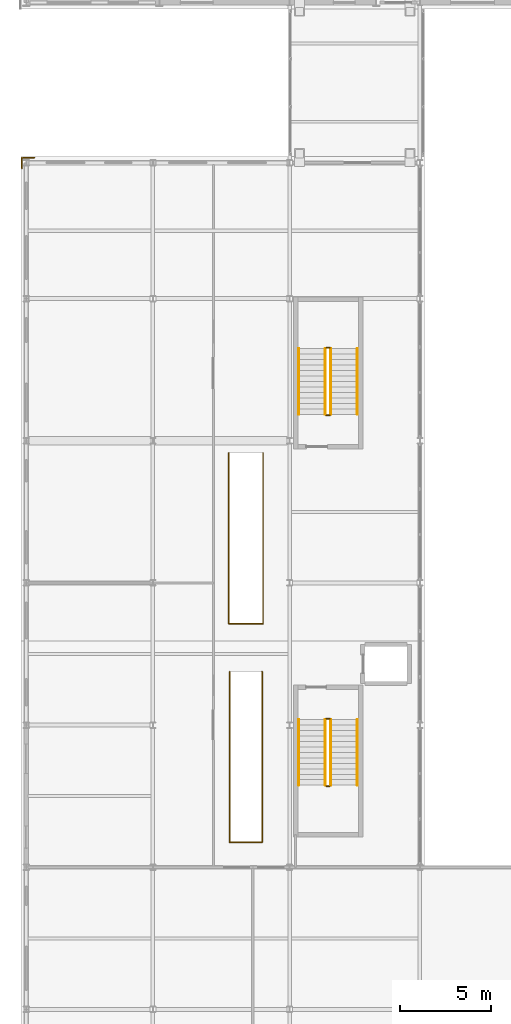
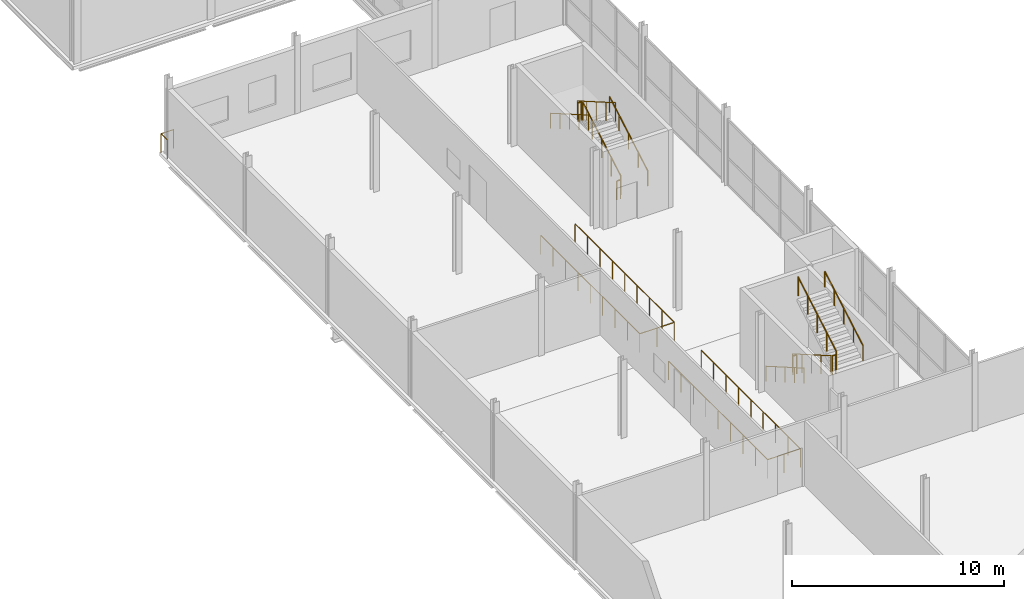
# One storey, part 72 of 77: 15 railings.
"""IFC4 building model written with IfcOpenShell, lengths in metres."""

from ifc_helpers import new_model, si_unit, direction, frame, origin, origin_2d, place, context, subcontext, project, spatial, circle, extrude, material, type_object, element, save


model = new_model("IFC4")

# Units and contexts
model_context = context("Model", 3, precision=1e-05, world=origin(), true_north=direction((0.0, 1.0)))
body_context = subcontext(model_context, "Body", "Model", "MODEL_VIEW")
ifc_project = project(units=[si_unit("LENGTHUNIT", "METRE"), si_unit("AREAUNIT", "SQUARE_METRE"), si_unit("VOLUMEUNIT", "CUBIC_METRE"), si_unit("PLANEANGLEUNIT", "RADIAN"), si_unit("MASSUNIT", "GRAM", prefix="KILO")], contexts=[model_context])

# Site, building, storey
site_placement = place(None, origin())
site = spatial("IfcSite", under=ifc_project, at=site_placement, CompositionType="ELEMENT")
building_placement = place(site_placement, origin())
building = spatial("IfcBuilding", under=site, at=building_placement, Name="Quillay Park Conservatory", CompositionType="ELEMENT")
storey_placement = place(building_placement, frame((0.0, 0.0, 5.39990234375)))
storey = spatial("IfcBuildingStorey", under=building, at=storey_placement, Name="L01", CompositionType="ELEMENT", Elevation=5.39990234375)

# Railings
ifc_material_1 = material(Name="Steel S355J2H", Category="steel")
railing_type_1 = type_object("IfcRailingType", Name="STAIR WALL HANDRAIL 900", PredefinedType="HANDRAIL", material=ifc_material_1)
railing_1_placement = place(storey_placement, frame((15.5, 23.699951171875, 0.173095703125)))
element("IfcRailing", 1, at=railing_1_placement, inside=storey, type_object=railing_type_1, Name="L01 ST-V1 stair handrail 1", PredefinedType="HANDRAIL", context=body_context, shape_type="SweptSolid", body=[
    extrude(circle(Radius=0.02392578125, at=origin_2d()), frame((0.0, 0.0, 0.8759765625), z_axis=(0.0, -0.866178740119, 0.499734319579), x_axis=(1.0, 0.0, 0.0)), (0.0, 0.0, 1.0), 4.156005859375),
    extrude(circle(Radius=0.02099609375, at=origin_2d()), origin(), (0.0, 0.0, 1.0), 0.851806640625),
    extrude(circle(Radius=0.02099609375, at=origin_2d()), frame((0.0, -0.89990234375, 0.519287109375)), (0.0, 0.0, 1.0), 0.851806640625),
    extrude(circle(Radius=0.02099609375, at=origin_2d()), frame((0.0, -1.7998046875, 1.03857421875)), (0.0, 0.0, 1.0), 0.851806640625),
    extrude(circle(Radius=0.02099609375, at=origin_2d()), frame((0.0, -2.699951171875, 1.5576171875)), (0.0, 0.0, 1.0), 0.851806640625),
    extrude(circle(Radius=0.02099609375, at=origin_2d()), frame((0.0, -3.599853515625, 2.076904296875)), (0.0, 0.0, 1.0), 0.851806640625),
])
railing_2_placement = place(storey_placement, frame((18.719970703125, 20.10009765625, 2.423095703125)))
element("IfcRailing", 2, at=railing_2_placement, inside=storey, type_object=railing_type_1, Name="L01 ST-V1 stair handrail 2", PredefinedType="HANDRAIL", context=body_context, shape_type="SweptSolid", body=[
    extrude(circle(Radius=0.02392578125, at=origin_2d()), frame((0.0, 0.0, 0.8759765625), z_axis=(0.0, 0.866178740119, 0.499734319579), x_axis=(-1.0, 0.0, 0.0)), (0.0, 0.0, 1.0), 4.156005859375),
    extrude(circle(Radius=0.02099609375, at=origin_2d()), origin(), (0.0, 0.0, 1.0), 0.851806640625),
    extrude(circle(Radius=0.02099609375, at=origin_2d()), frame((0.0, 0.89990234375, 0.519287109375)), (0.0, 0.0, 1.0), 0.851806640625),
    extrude(circle(Radius=0.02099609375, at=origin_2d()), frame((0.0, 1.7998046875, 1.03857421875)), (0.0, 0.0, 1.0), 0.851806640625),
    extrude(circle(Radius=0.02099609375, at=origin_2d()), frame((0.0, 2.699951171875, 1.5576171875)), (0.0, 0.0, 1.0), 0.851806640625),
    extrude(circle(Radius=0.02099609375, at=origin_2d()), frame((0.0, 3.599853515625, 2.076904296875)), (0.0, 0.0, 1.0), 0.851806640625),
])
railing_3_placement = place(storey_placement, frame((18.719970703125, 40.449951171875, 0.173095703125)))
element("IfcRailing", 3, at=railing_3_placement, inside=storey, type_object=railing_type_1, Name="L01 ST-V2 stair handrail 1", PredefinedType="HANDRAIL", context=body_context, shape_type="SweptSolid", body=[
    extrude(circle(Radius=0.02392578125, at=origin_2d()), frame((0.0, 0.0, 0.8759765625), z_axis=(0.0, 0.866193409371, 0.499708892819), x_axis=(-1.0, 0.0, 0.0)), (0.0, 0.0, 1.0), 4.15625),
    extrude(circle(Radius=0.02099609375, at=origin_2d()), origin(), (0.0, 0.0, 1.0), 0.851806640625),
    extrude(circle(Radius=0.02099609375, at=origin_2d()), frame((0.0, 0.89990234375, 0.519287109375)), (0.0, 0.0, 1.0), 0.851806640625),
    extrude(circle(Radius=0.02099609375, at=origin_2d()), frame((0.0, 1.800048828125, 1.03857421875)), (0.0, 0.0, 1.0), 0.851806640625),
    extrude(circle(Radius=0.02099609375, at=origin_2d()), frame((0.0, 2.7001953125, 1.5576171875)), (0.0, 0.0, 1.0), 0.851806640625),
    extrude(circle(Radius=0.02099609375, at=origin_2d()), frame((0.0, 3.60009765625, 2.076904296875)), (0.0, 0.0, 1.0), 0.851806640625),
])
railing_4_placement = place(storey_placement, frame((15.5, 44.050048828125, 2.423095703125)))
element("IfcRailing", 4, at=railing_4_placement, inside=storey, type_object=railing_type_1, Name="L01 ST-V2 stair handrail 2", PredefinedType="HANDRAIL", context=body_context, shape_type="SweptSolid", body=[
    extrude(circle(Radius=0.02392578125, at=origin_2d()), frame((0.0, 0.0, 0.8759765625), z_axis=(0.0, -0.866193409371, 0.499708892819), x_axis=(1.0, 0.0, 0.0)), (0.0, 0.0, 1.0), 4.15625),
    extrude(circle(Radius=0.02099609375, at=origin_2d()), origin(), (0.0, 0.0, 1.0), 0.851806640625),
    extrude(circle(Radius=0.02099609375, at=origin_2d()), frame((0.0, -0.89990234375, 0.519287109375)), (0.0, 0.0, 1.0), 0.851806640625),
    extrude(circle(Radius=0.02099609375, at=origin_2d()), frame((0.0, -1.800048828125, 1.03857421875)), (0.0, 0.0, 1.0), 0.851806640625),
    extrude(circle(Radius=0.02099609375, at=origin_2d()), frame((0.0, -2.7001953125, 1.5576171875)), (0.0, 0.0, 1.0), 0.851806640625),
    extrude(circle(Radius=0.02099609375, at=origin_2d()), frame((0.0, -3.60009765625, 2.076904296875)), (0.0, 0.0, 1.0), 0.851806640625),
])
ifc_material_2 = material(Name="Steel S355J2H", Category="steel")
railing_type_2 = type_object("IfcRailingType", Name="STAIR WELL GUARDRAIL 1100", PredefinedType="GUARDRAIL", material=ifc_material_2)
railing_5_placement = place(storey_placement, frame((16.9599609375, 23.699951171875, 0.173095703125)))
element("IfcRailing", 5, at=railing_5_placement, inside=storey, type_object=railing_type_2, Name="L01 ST-V1 stair guard 1", PredefinedType="GUARDRAIL", context=body_context, shape_type="SweptSolid", body=[
    extrude(circle(Radius=0.02392578125, at=origin_2d()), frame((0.0, 0.0, 1.076171875), z_axis=(0.0, -0.866178740119, 0.499734319579), x_axis=(1.0, 0.0, 0.0)), (0.0, 0.0, 1.0), 4.156005859375),
    extrude(circle(Radius=0.02099609375, at=origin_2d()), origin(), (0.0, 0.0, 1.0), 1.052001953125),
    extrude(circle(Radius=0.02099609375, at=origin_2d()), frame((0.0, -0.89990234375, 0.519287109375)), (0.0, 0.0, 1.0), 1.052001953125),
    extrude(circle(Radius=0.02099609375, at=origin_2d()), frame((0.0, -1.7998046875, 1.03857421875)), (0.0, 0.0, 1.0), 1.052001953125),
    extrude(circle(Radius=0.02099609375, at=origin_2d()), frame((0.0, -2.699951171875, 1.5576171875)), (0.0, 0.0, 1.0), 1.052001953125),
    extrude(circle(Radius=0.02099609375, at=origin_2d()), frame((0.0, -3.599853515625, 2.076904296875)), (0.0, 0.0, 1.0), 1.052001953125),
])
railing_6_placement = place(storey_placement, frame((17.010009765625, 20.050048828125, 2.25)))
element("IfcRailing", 6, at=railing_6_placement, inside=storey, type_object=railing_type_2, Name="L01 ST-V1 stair guard 2", PredefinedType="GUARDRAIL", context=body_context, shape_type="SweptSolid", body=[
    extrude(circle(Radius=0.02392578125, at=origin_2d()), frame((0.0, 0.0, 1.076171875), z_axis=(1.0, 0.0, 0.0), x_axis=(0.0, 1.0, 0.0)), (0.0, 0.0, 1.0), 0.199951171875),
    extrude(circle(Radius=0.02099609375, at=origin_2d()), origin(), (0.0, 0.0, 1.0), 1.052001953125),
    extrude(circle(Radius=0.02099609375, at=origin_2d()), frame((0.199951171875, 0.0, 0.0)), (0.0, 0.0, 1.0), 1.052001953125),
])
railing_7_placement = place(storey_placement, frame((17.260009765625, 20.10009765625, 2.423095703125)))
element("IfcRailing", 7, at=railing_7_placement, inside=storey, type_object=railing_type_2, Name="L01 ST-V1 stair guard 3", PredefinedType="GUARDRAIL", context=body_context, shape_type="SweptSolid", body=[
    extrude(circle(Radius=0.02392578125, at=origin_2d()), frame((0.0, 0.0, 1.076171875), z_axis=(0.0, 0.866178740119, 0.499734319579), x_axis=(-1.0, 0.0, 0.0)), (0.0, 0.0, 1.0), 4.156005859375),
    extrude(circle(Radius=0.02099609375, at=origin_2d()), origin(), (0.0, 0.0, 1.0), 1.052001953125),
    extrude(circle(Radius=0.02099609375, at=origin_2d()), frame((0.0, 0.89990234375, 0.519287109375)), (0.0, 0.0, 1.0), 1.052001953125),
    extrude(circle(Radius=0.02099609375, at=origin_2d()), frame((0.0, 1.7998046875, 1.03857421875)), (0.0, 0.0, 1.0), 1.052001953125),
    extrude(circle(Radius=0.02099609375, at=origin_2d()), frame((0.0, 2.699951171875, 1.5576171875)), (0.0, 0.0, 1.0), 1.052001953125),
    extrude(circle(Radius=0.02099609375, at=origin_2d()), frame((0.0, 3.599853515625, 2.076904296875)), (0.0, 0.0, 1.0), 1.052001953125),
])
railing_8_placement = place(storey_placement, frame((17.010009765625, 23.75, 0.0)))
element("IfcRailing", 8, at=railing_8_placement, inside=storey, type_object=railing_type_2, Name="L01 ST-V1 stair guard 4", PredefinedType="GUARDRAIL", context=body_context, shape_type="SweptSolid", body=[
    extrude(circle(Radius=0.02392578125, at=origin_2d()), frame((0.0, 0.0, 1.076171875), z_axis=(1.0, 0.0, 0.0), x_axis=(0.0, 1.0, 0.0)), (0.0, 0.0, 1.0), 0.199951171875),
    extrude(circle(Radius=0.02099609375, at=origin_2d()), origin(), (0.0, 0.0, 1.0), 1.052001953125),
    extrude(circle(Radius=0.02099609375, at=origin_2d()), frame((0.199951171875, 0.0, 0.0)), (0.0, 0.0, 1.0), 1.052001953125),
])
railing_9_placement = place(storey_placement, frame((17.260009765625, 40.449951171875, 0.173095703125)))
element("IfcRailing", 9, at=railing_9_placement, inside=storey, type_object=railing_type_2, Name="L01 ST-V2 stair guard 1", PredefinedType="GUARDRAIL", context=body_context, shape_type="SweptSolid", body=[
    extrude(circle(Radius=0.02392578125, at=origin_2d()), frame((0.0, 0.0, 1.076171875), z_axis=(0.0, 0.866193409371, 0.499708892819), x_axis=(-1.0, 0.0, 0.0)), (0.0, 0.0, 1.0), 4.15625),
    extrude(circle(Radius=0.02099609375, at=origin_2d()), origin(), (0.0, 0.0, 1.0), 1.052001953125),
    extrude(circle(Radius=0.02099609375, at=origin_2d()), frame((0.0, 0.89990234375, 0.519287109375)), (0.0, 0.0, 1.0), 1.052001953125),
    extrude(circle(Radius=0.02099609375, at=origin_2d()), frame((0.0, 1.800048828125, 1.03857421875)), (0.0, 0.0, 1.0), 1.052001953125),
    extrude(circle(Radius=0.02099609375, at=origin_2d()), frame((0.0, 2.7001953125, 1.5576171875)), (0.0, 0.0, 1.0), 1.052001953125),
    extrude(circle(Radius=0.02099609375, at=origin_2d()), frame((0.0, 3.60009765625, 2.076904296875)), (0.0, 0.0, 1.0), 1.052001953125),
])
railing_10_placement = place(storey_placement, frame((17.2099609375, 44.10009765625, 2.25)))
element("IfcRailing", 10, at=railing_10_placement, inside=storey, type_object=railing_type_2, Name="L01 ST-V2 stair guard 2", PredefinedType="GUARDRAIL", context=body_context, shape_type="SweptSolid", body=[
    extrude(circle(Radius=0.02392578125, at=origin_2d()), frame((0.0, 0.0, 1.076171875), z_axis=(-1.0, 0.0, 0.0), x_axis=(0.0, -1.0, 0.0)), (0.0, 0.0, 1.0), 0.199951171875),
    extrude(circle(Radius=0.02099609375, at=origin_2d()), origin(), (0.0, 0.0, 1.0), 1.052001953125),
    extrude(circle(Radius=0.02099609375, at=origin_2d()), frame((-0.199951171875, 0.0, 0.0)), (0.0, 0.0, 1.0), 1.052001953125),
])
railing_11_placement = place(storey_placement, frame((16.9599609375, 44.050048828125, 2.423095703125)))
element("IfcRailing", 11, at=railing_11_placement, inside=storey, type_object=railing_type_2, Name="L01 ST-V2 stair guard 3", PredefinedType="GUARDRAIL", context=body_context, shape_type="SweptSolid", body=[
    extrude(circle(Radius=0.02392578125, at=origin_2d()), frame((0.0, 0.0, 1.076171875), z_axis=(0.0, -0.866193409371, 0.499708892819), x_axis=(1.0, 0.0, 0.0)), (0.0, 0.0, 1.0), 4.15625),
    extrude(circle(Radius=0.02099609375, at=origin_2d()), origin(), (0.0, 0.0, 1.0), 1.052001953125),
    extrude(circle(Radius=0.02099609375, at=origin_2d()), frame((0.0, -0.89990234375, 0.519287109375)), (0.0, 0.0, 1.0), 1.052001953125),
    extrude(circle(Radius=0.02099609375, at=origin_2d()), frame((0.0, -1.800048828125, 1.03857421875)), (0.0, 0.0, 1.0), 1.052001953125),
    extrude(circle(Radius=0.02099609375, at=origin_2d()), frame((0.0, -2.7001953125, 1.5576171875)), (0.0, 0.0, 1.0), 1.052001953125),
    extrude(circle(Radius=0.02099609375, at=origin_2d()), frame((0.0, -3.60009765625, 2.076904296875)), (0.0, 0.0, 1.0), 1.052001953125),
])
railing_12_placement = place(storey_placement, frame((17.2099609375, 40.39990234375, 0.0)))
element("IfcRailing", 12, at=railing_12_placement, inside=storey, type_object=railing_type_2, Name="L01 ST-V2 stair guard 4", PredefinedType="GUARDRAIL", context=body_context, shape_type="SweptSolid", body=[
    extrude(circle(Radius=0.02392578125, at=origin_2d()), frame((0.0, 0.0, 1.076171875), z_axis=(-1.0, 0.0, 0.0), x_axis=(0.0, -1.0, 0.0)), (0.0, 0.0, 1.0), 0.199951171875),
    extrude(circle(Radius=0.02099609375, at=origin_2d()), origin(), (0.0, 0.0, 1.0), 1.052001953125),
    extrude(circle(Radius=0.02099609375, at=origin_2d()), frame((-0.199951171875, 0.0, 0.0)), (0.0, 0.0, 1.0), 1.052001953125),
])
railing_13_placement = place(storey_placement, frame((11.7099609375, 26.320068359375, 0.0)))
element("IfcRailing", 13, at=railing_13_placement, inside=storey, type_object=railing_type_2, Name="L01 Feature Stair 03 Well Guardrail", PredefinedType="GUARDRAIL", context=body_context, shape_type="SweptSolid", body=[
    extrude(circle(Radius=0.02392578125, at=origin_2d()), frame((0.0, 0.0, 1.076171875), z_axis=(0.0, -1.0, 0.0), x_axis=(1.0, 0.0, 0.0)), (0.0, 0.0, 1.0), 9.360107421875),
    extrude(circle(Radius=0.02392578125, at=origin_2d()), frame((0.0, -9.360107421875, 1.076171875), z_axis=(1.0, 0.0, 0.0), x_axis=(0.0, 1.0, 0.0)), (0.0, 0.0, 1.0), 1.780029296875),
    extrude(circle(Radius=0.02392578125, at=origin_2d()), frame((1.780029296875, -9.360107421875, 1.076171875), z_axis=(0.0, 1.0, 0.0), x_axis=(-1.0, 0.0, 0.0)), (0.0, 0.0, 1.0), 9.360107421875),
    extrude(circle(Radius=0.02099609375, at=origin_2d()), origin(), (0.0, 0.0, 1.0), 1.052001953125),
    extrude(circle(Radius=0.02099609375, at=origin_2d()), frame((0.0, -1.169921875, 0.0)), (0.0, 0.0, 1.0), 1.052001953125),
    extrude(circle(Radius=0.02099609375, at=origin_2d()), frame((0.0, -2.340087890625, 0.0)), (0.0, 0.0, 1.0), 1.052001953125),
    extrude(circle(Radius=0.02099609375, at=origin_2d()), frame((0.0, -3.510009765625, 0.0)), (0.0, 0.0, 1.0), 1.052001953125),
    extrude(circle(Radius=0.02099609375, at=origin_2d()), frame((0.0, -4.68017578125, 0.0)), (0.0, 0.0, 1.0), 1.052001953125),
    extrude(circle(Radius=0.02099609375, at=origin_2d()), frame((0.0, -5.85009765625, 0.0)), (0.0, 0.0, 1.0), 1.052001953125),
    extrude(circle(Radius=0.02099609375, at=origin_2d()), frame((0.0, -7.02001953125, 0.0)), (0.0, 0.0, 1.0), 1.052001953125),
    extrude(circle(Radius=0.02099609375, at=origin_2d()), frame((0.0, -8.190185546875, 0.0)), (0.0, 0.0, 1.0), 1.052001953125),
    extrude(circle(Radius=0.02099609375, at=origin_2d()), frame((0.0, -9.360107421875, 0.0)), (0.0, 0.0, 1.0), 1.052001953125),
    extrude(circle(Radius=0.02099609375, at=origin_2d()), frame((0.89013671875, -9.360107421875, 0.0)), (0.0, 0.0, 1.0), 1.052001953125),
    extrude(circle(Radius=0.02099609375, at=origin_2d()), frame((1.780029296875, -9.360107421875, 0.0)), (0.0, 0.0, 1.0), 1.052001953125),
    extrude(circle(Radius=0.02099609375, at=origin_2d()), frame((1.780029296875, -8.190185546875, 0.0)), (0.0, 0.0, 1.0), 1.052001953125),
    extrude(circle(Radius=0.02099609375, at=origin_2d()), frame((1.780029296875, -7.02001953125, 0.0)), (0.0, 0.0, 1.0), 1.052001953125),
    extrude(circle(Radius=0.02099609375, at=origin_2d()), frame((1.780029296875, -5.85009765625, 0.0)), (0.0, 0.0, 1.0), 1.052001953125),
    extrude(circle(Radius=0.02099609375, at=origin_2d()), frame((1.780029296875, -4.68017578125, 0.0)), (0.0, 0.0, 1.0), 1.052001953125),
    extrude(circle(Radius=0.02099609375, at=origin_2d()), frame((1.780029296875, -3.510009765625, 0.0)), (0.0, 0.0, 1.0), 1.052001953125),
    extrude(circle(Radius=0.02099609375, at=origin_2d()), frame((1.780029296875, -2.340087890625, 0.0)), (0.0, 0.0, 1.0), 1.052001953125),
    extrude(circle(Radius=0.02099609375, at=origin_2d()), frame((1.780029296875, -1.169921875, 0.0)), (0.0, 0.0, 1.0), 1.052001953125),
    extrude(circle(Radius=0.02099609375, at=origin_2d()), frame((1.780029296875, 0.0, 0.0)), (0.0, 0.0, 1.0), 1.052001953125),
])
railing_14_placement = place(storey_placement, frame((11.659912109375, 38.320068359375, 0.0)))
element("IfcRailing", 14, at=railing_14_placement, inside=storey, type_object=railing_type_2, Name="L01 Feature Stair 04 Well Guardrail", PredefinedType="GUARDRAIL", context=body_context, shape_type="SweptSolid", body=[
    extrude(circle(Radius=0.02392578125, at=origin_2d()), frame((0.0, 0.0, 1.076171875), z_axis=(0.0, -1.0, 0.0), x_axis=(1.0, 0.0, 0.0)), (0.0, 0.0, 1.0), 9.360107421875),
    extrude(circle(Radius=0.02392578125, at=origin_2d()), frame((0.0, -9.360107421875, 1.076171875), z_axis=(1.0, 0.0, 0.0), x_axis=(0.0, 1.0, 0.0)), (0.0, 0.0, 1.0), 1.880126953125),
    extrude(circle(Radius=0.02392578125, at=origin_2d()), frame((1.880126953125, -9.360107421875, 1.076171875), z_axis=(0.0, 1.0, 0.0), x_axis=(-1.0, 0.0, 0.0)), (0.0, 0.0, 1.0), 9.360107421875),
    extrude(circle(Radius=0.02099609375, at=origin_2d()), origin(), (0.0, 0.0, 1.0), 1.052001953125),
    extrude(circle(Radius=0.02099609375, at=origin_2d()), frame((0.0, -1.169921875, 0.0)), (0.0, 0.0, 1.0), 1.052001953125),
    extrude(circle(Radius=0.02099609375, at=origin_2d()), frame((0.0, -2.340087890625, 0.0)), (0.0, 0.0, 1.0), 1.052001953125),
    extrude(circle(Radius=0.02099609375, at=origin_2d()), frame((0.0, -3.510009765625, 0.0)), (0.0, 0.0, 1.0), 1.052001953125),
    extrude(circle(Radius=0.02099609375, at=origin_2d()), frame((0.0, -4.68017578125, 0.0)), (0.0, 0.0, 1.0), 1.052001953125),
    extrude(circle(Radius=0.02099609375, at=origin_2d()), frame((0.0, -5.85009765625, 0.0)), (0.0, 0.0, 1.0), 1.052001953125),
    extrude(circle(Radius=0.02099609375, at=origin_2d()), frame((0.0, -7.02001953125, 0.0)), (0.0, 0.0, 1.0), 1.052001953125),
    extrude(circle(Radius=0.02099609375, at=origin_2d()), frame((0.0, -8.190185546875, 0.0)), (0.0, 0.0, 1.0), 1.052001953125),
    extrude(circle(Radius=0.02099609375, at=origin_2d()), frame((0.0, -9.360107421875, 0.0)), (0.0, 0.0, 1.0), 1.052001953125),
    extrude(circle(Radius=0.02099609375, at=origin_2d()), frame((0.93994140625, -9.360107421875, 0.0)), (0.0, 0.0, 1.0), 1.052001953125),
    extrude(circle(Radius=0.02099609375, at=origin_2d()), frame((1.880126953125, -9.360107421875, 0.0)), (0.0, 0.0, 1.0), 1.052001953125),
    extrude(circle(Radius=0.02099609375, at=origin_2d()), frame((1.880126953125, -8.190185546875, 0.0)), (0.0, 0.0, 1.0), 1.052001953125),
    extrude(circle(Radius=0.02099609375, at=origin_2d()), frame((1.880126953125, -7.02001953125, 0.0)), (0.0, 0.0, 1.0), 1.052001953125),
    extrude(circle(Radius=0.02099609375, at=origin_2d()), frame((1.880126953125, -5.85009765625, 0.0)), (0.0, 0.0, 1.0), 1.052001953125),
    extrude(circle(Radius=0.02099609375, at=origin_2d()), frame((1.880126953125, -4.68017578125, 0.0)), (0.0, 0.0, 1.0), 1.052001953125),
    extrude(circle(Radius=0.02099609375, at=origin_2d()), frame((1.880126953125, -3.510009765625, 0.0)), (0.0, 0.0, 1.0), 1.052001953125),
    extrude(circle(Radius=0.02099609375, at=origin_2d()), frame((1.880126953125, -2.340087890625, 0.0)), (0.0, 0.0, 1.0), 1.052001953125),
    extrude(circle(Radius=0.02099609375, at=origin_2d()), frame((1.880126953125, -1.169921875, 0.0)), (0.0, 0.0, 1.0), 1.052001953125),
    extrude(circle(Radius=0.02099609375, at=origin_2d()), frame((1.880126953125, 0.0, 0.0)), (0.0, 0.0, 1.0), 1.052001953125),
])
ifc_material_3 = material(Name="Steel S355J2H", Category="steel")
railing_type_3 = type_object("IfcRailingType", Name="TERRACE PERIMETER GUARDRAIL 1100", PredefinedType="GUARDRAIL", material=ifc_material_3)
railing_15_placement = place(storey_placement, frame((0.31005859375, 53.949951171875, 0.0)))
element("IfcRailing", 15, at=railing_15_placement, inside=storey, type_object=railing_type_3, Name="L01 Perimeter Safety Guardrail 044", PredefinedType="GUARDRAIL", context=body_context, shape_type="SweptSolid", body=[
    extrude(circle(Radius=0.02392578125, at=origin_2d()), frame((0.0, 0.0, 1.076171875), z_axis=(0.0, 1.0, 0.0), x_axis=(-1.0, 0.0, 0.0)), (0.0, 0.0, 1.0), 0.590087890625),
    extrude(circle(Radius=0.02392578125, at=origin_2d()), frame((0.0, 0.590087890625, 1.076171875), z_axis=(1.0, 0.0, 0.0), x_axis=(0.0, 1.0, 0.0)), (0.0, 0.0, 1.0), 0.68994140625),
    extrude(circle(Radius=0.02099609375, at=origin_2d()), origin(), (0.0, 0.0, 1.0), 1.052001953125),
    extrude(circle(Radius=0.02099609375, at=origin_2d()), frame((0.0, 0.590087890625, 0.0)), (0.0, 0.0, 1.0), 1.052001953125),
    extrude(circle(Radius=0.02099609375, at=origin_2d()), frame((0.68994140625, 0.590087890625, 0.0)), (0.0, 0.0, 1.0), 1.052001953125),
])

save(model, "model.ifc")
